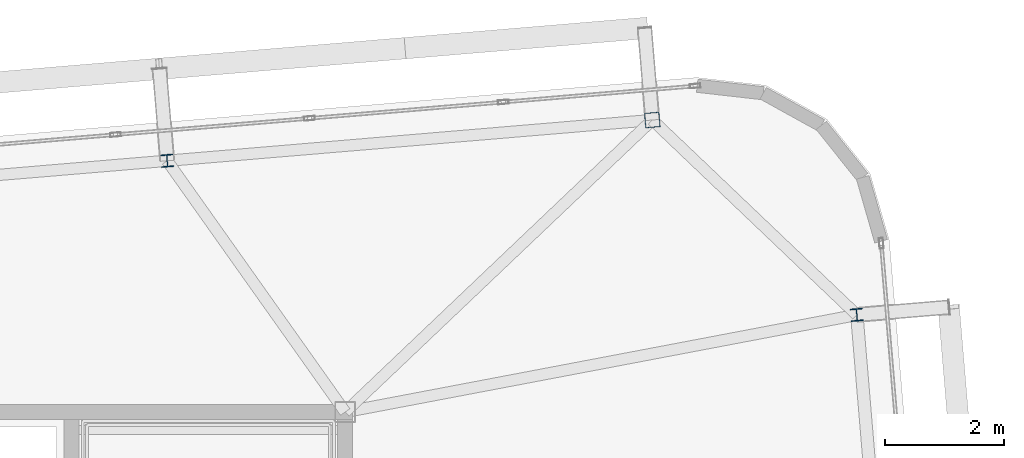
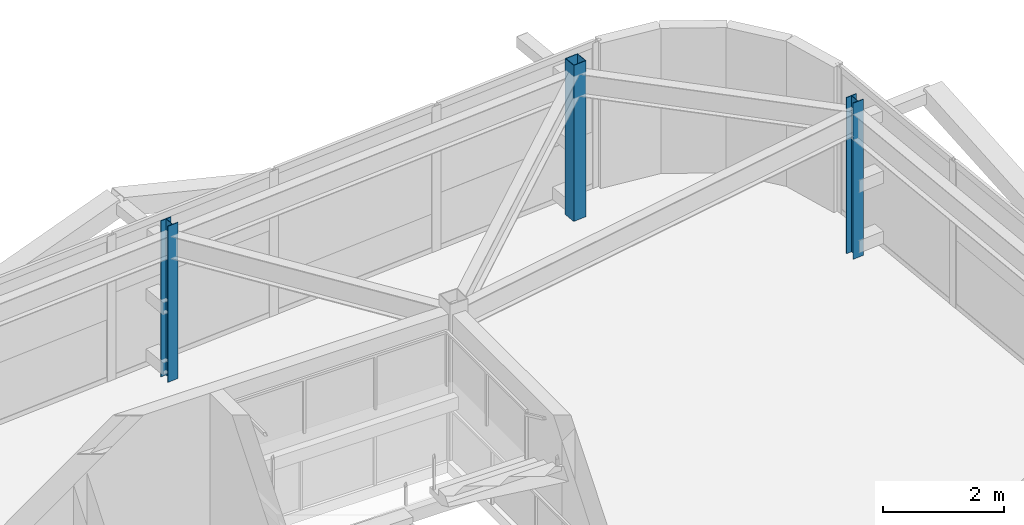
# One storey, part 6 of 46: 3 columns.
"""IFC4 building model written with IfcOpenShell, lengths in metres."""

from ifc_helpers import new_model, si_unit, direction, frame, origin, origin_2d, place, context, subcontext, project, spatial, hollow_rectangle, i_section, extrude, source, transform, mapped, material, material_profile, profile_set, type_object, element, save


model = new_model("IFC4")

# Units and contexts
model_context = context("Model", 3, precision=1e-05, world=origin(), true_north=direction((0.0, 1.0)))
body_context = subcontext(model_context, "Body", "Model", "MODEL_VIEW")
ifc_project = project(units=[si_unit("LENGTHUNIT", "METRE"), si_unit("AREAUNIT", "SQUARE_METRE"), si_unit("VOLUMEUNIT", "CUBIC_METRE"), si_unit("PLANEANGLEUNIT", "RADIAN"), si_unit("MASSUNIT", "GRAM", prefix="KILO")], contexts=[model_context])

# Site, building, storey
site_placement = place(None, origin())
site = spatial("IfcSite", under=ifc_project, at=site_placement, CompositionType="ELEMENT")
building_placement = place(site_placement, origin())
building = spatial("IfcBuilding", under=site, at=building_placement, Name="Taldren Reach Tower", CompositionType="ELEMENT")
storey_placement = place(building_placement, frame((0.0, 0.0, 194.60009765625)))
storey = spatial("IfcBuildingStorey", under=building, at=storey_placement, Name="L59", CompositionType="ELEMENT", Elevation=194.60009765625)

# Columns
ifc_material_1 = material(Name="Steel Gr 350 (C350L0)", Category="steel")
ifc_material_profile_1 = material_profile(ifc_material_1, hollow_rectangle(XDim=0.25, YDim=0.25, WallThickness=0.010009765625, at=origin_2d()), Name="250x250x10.0SHS")
ifc_profile_set_1 = profile_set([ifc_material_profile_1], Name="Steel Gr 350 (C350L0)")
column_type_1 = type_object("IfcColumnType", Name="COL-SHS250", PredefinedType="COLUMN", material=ifc_profile_set_1)
shared_shape_1 = source(origin(), body_context, "Body", "SweptSolid", [
    extrude(hollow_rectangle(XDim=0.25, YDim=0.25, WallThickness=0.010009765625, at=origin_2d()), origin(), (0.0, 0.0, 1.0), 3.14990234375),
])
column_placement = place(storey_placement, frame((56.160400390625, 36.906005859375, 0.0), z_axis=(0.0, 0.0, 1.0), x_axis=(0.99649285925, 0.083677843332, 0.0)))
element("IfcColumn", 1, at=column_placement, inside=storey, type_object=column_type_1, Name="Block B4 perimeter column N6 L59", PredefinedType="COLUMN", context=body_context, shape_type="MappedRepresentation", body=[
    mapped(shared_shape_1, transform((0.0, 0.0, 0.0), scale=1.0)),
])
ifc_material_2 = material(Name="Steel Gr 350 (350PLUS)", Category="steel")
ifc_material_profile_2 = material_profile(ifc_material_2, i_section(OverallWidth=0.205078125, OverallDepth=0.2099609375, WebThickness=0.00927734375, FlangeThickness=0.01416015625, at=origin_2d()), Name="200UC59.5")
ifc_profile_set_2 = profile_set([ifc_material_profile_2], Name="Steel Gr 350 (350PLUS)")
column_type_2 = type_object("IfcColumnType", Name="COL-UC200", PredefinedType="COLUMN", material=ifc_profile_set_2)
shared_shape_2 = source(origin(), body_context, "Body", "SweptSolid", [
    extrude(i_section(OverallWidth=0.205078125, OverallDepth=0.2099609375, WebThickness=0.00927734375, FlangeThickness=0.01416015625, at=origin_2d()), origin(), (0.0, 0.0, 1.0), 3.14990234375),
])
for number, where, z_axis, x_axis, name in (
    (2, (48.009033203125, 36.221435546875, 0.0), (0.0, 0.0, 1.0), (0.99649285925, 0.083677843332, 0.0), "Block B4 perimeter column N5 L59"),
    (3, (59.596435546875, 33.632080078125, 0.0), (0.0, 0.0, 1.0), (0.99649285925, 0.083677843332, 0.0), "Block B4 perimeter column E3 L59"),
):
    element("IfcColumn", number, at=place(storey_placement, frame(where, z_axis=z_axis, x_axis=x_axis)), inside=storey, type_object=column_type_2, Name=name, PredefinedType="COLUMN", context=body_context, shape_type="MappedRepresentation", body=[
        mapped(shared_shape_2, transform((0.0, 0.0, 0.0), scale=1.0)),
    ])

save(model, "model.ifc")
